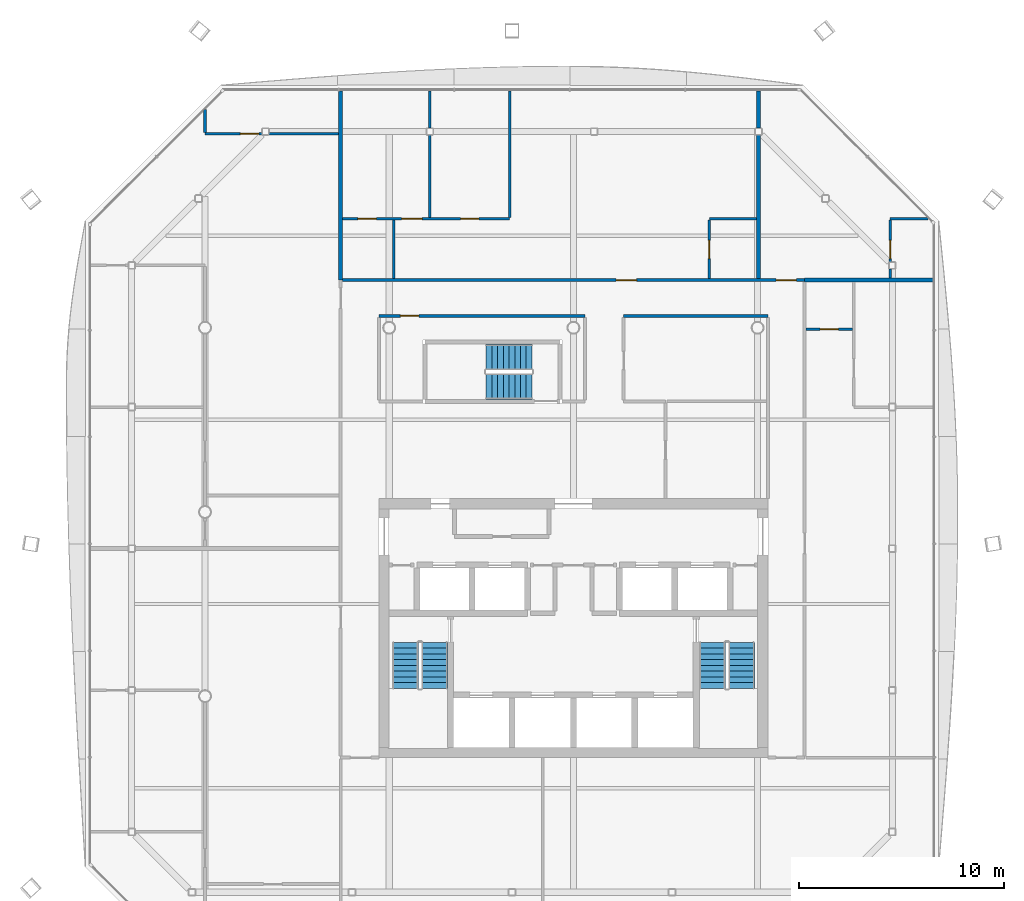
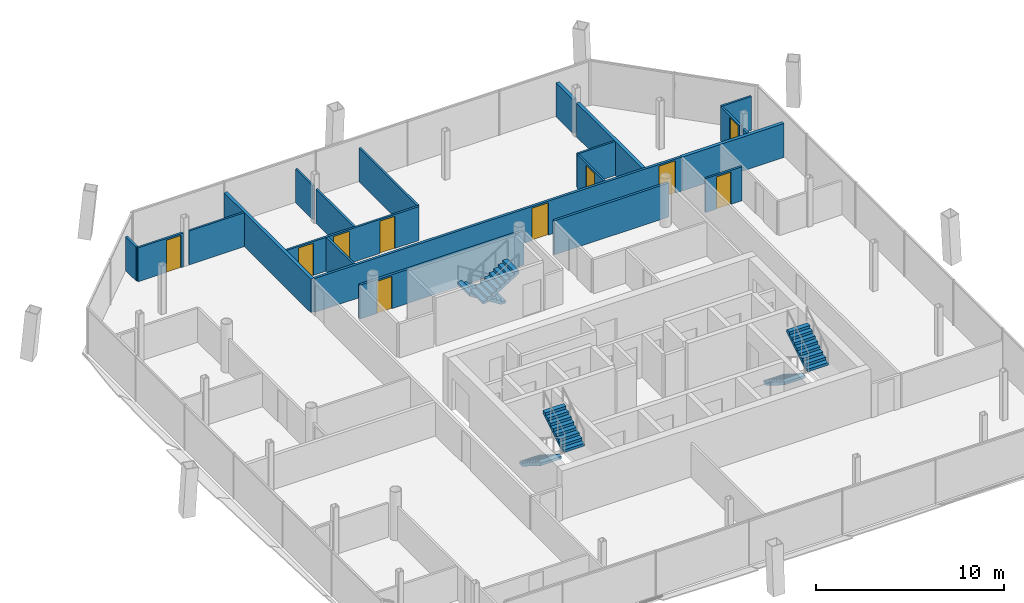
# One storey, part 16 of 20: 21 walls, 10 doors, 6 stair flights, 10 openings, 3 elements without a shape of their own.
"""IFC4 building model written with IfcOpenShell, lengths in metres."""

from ifc_helpers import new_model, si_unit, direction, frame, frame_2d, origin, place, context, subcontext, project, spatial, polyline, rectangle, outline, extrude, material, layer, layer_set, type_object, element, fill, aggregate, save


model = new_model("IFC4")

# Units and contexts
model_context = context("Model", 3, precision=1e-05, world=origin(), true_north=direction((0.0, 1.0)))
body_context = subcontext(model_context, "Body", "Model", "MODEL_VIEW")
ifc_project = project(units=[si_unit("LENGTHUNIT", "METRE"), si_unit("AREAUNIT", "SQUARE_METRE"), si_unit("VOLUMEUNIT", "CUBIC_METRE"), si_unit("PLANEANGLEUNIT", "RADIAN"), si_unit("MASSUNIT", "GRAM", prefix="KILO")], contexts=[model_context])

# Site, building, storey
site_placement = place(None, origin())
site = spatial("IfcSite", under=ifc_project, at=site_placement, CompositionType="ELEMENT")
building_placement = place(site_placement, origin())
building = spatial("IfcBuilding", under=site, at=building_placement, Name="Tskaro Facet Tower", CompositionType="ELEMENT")
storey_placement = place(building_placement, frame((0.0, 0.0, 184.800048828125)))
storey = spatial("IfcBuildingStorey", under=building, at=storey_placement, Name="L46", CompositionType="ELEMENT", Elevation=184.800048828125)

# Wall, opening, door
ifc_material_1 = material(Name="Gypsum board on steel studs", Category="steel")
ifc_layer_1 = layer(ifc_material_1, 0.125, Name="Gypsum board on steel studs")
ifc_layer_set_1 = layer_set([ifc_layer_1], Name="Gypsum board on steel studs")
wall_type_1 = type_object("IfcWallType", Name="PART", PredefinedType="PARTITIONING", material=ifc_layer_set_1)
wall_1_placement = place(storey_placement, frame((11.375, 8.925048828125, 0.0), z_axis=(0.0, 0.0, 1.0), x_axis=(1.0, 0.0, 0.0)))
wall_1 = element("IfcWall", 1, at=wall_1_placement, inside=storey, type_object=wall_type_1, Name="Partition W033", PredefinedType="PARTITIONING", context=body_context, shape_type="SweptSolid", body=[
    extrude(rectangle(XDim=2.262451171875, YDim=0.125, at=frame_2d((1.13134765625, 0.0))), origin(), (0.0, 0.0, 1.0), 2.2099609375),
])
opening_1_placement = place(wall_1_placement, frame((0.675048828125, 0.0, 0.0)))
opening_1 = element("IfcOpeningElement", 2, at=opening_1_placement, cuts=wall_1, Name="Opening T13-D22", PredefinedType="OPENING", context=body_context, shape_type="SweptSolid", body=[
    extrude(rectangle(XDim=0.89990234375, YDim=2.10009765625, at=frame_2d((0.449951171875, 1.050048828125))), frame((0.0, 0.072509765625, 0.0), z_axis=(0.0, -1.0, 0.0), x_axis=(1.0, 0.0, 0.0)), (0.0, 0.0, 1.0), 0.14501953125),
])
ifc_material_2 = material(Name="Timber", Category="wood")
door_type_1 = type_object("IfcDoorType", Name="D-ROOM", OperationType="NOTDEFINED", PredefinedType="DOOR", material=ifc_material_2)
door_1_placement = place(opening_1_placement, origin())
door_1 = element("IfcDoor", 3, at=door_1_placement, inside=storey, type_object=door_type_1, Name="Door T13-D22", OperationType="SINGLE_SWING_LEFT", OverallHeight=2.10009765625, OverallWidth=0.89990234375, PredefinedType="DOOR", context=body_context, shape_type="SweptSolid", body=[
    extrude(rectangle(XDim=0.89990234375, YDim=2.10009765625, at=frame_2d((0.449951171875, 1.050048828125))), frame((0.0, 0.02490234375, 0.0), z_axis=(0.0, -1.0, 0.0), x_axis=(1.0, 0.0, 0.0)), (0.0, 0.0, 1.0), 0.050048828125),
])
fill(opening_1, door_1)

# Wall, openings, doors
wall_2_placement = place(storey_placement, frame((-11.27490234375, 14.324951171875, 0.0), z_axis=(0.0, 0.0, 1.0), x_axis=(1.0, 0.0, 0.0)))
wall_2 = element("IfcWall", 4, at=wall_2_placement, inside=storey, type_object=wall_type_1, Name="Partition W040", PredefinedType="PARTITIONING", context=body_context, shape_type="SweptSolid", body=[
    extrude(rectangle(XDim=8.159912109375, YDim=0.125, at=frame_2d((4.080078125, 0.0))), origin(), (0.0, 0.0, 1.0), 2.2099609375),
])
opening_2_placement = place(wall_2_placement, frame((5.760009765625, 0.0, 0.0)))
opening_2 = element("IfcOpeningElement", 5, at=opening_2_placement, cuts=wall_2, Name="Opening T13-D32", PredefinedType="OPENING", context=body_context, shape_type="SweptSolid", body=[
    extrude(rectangle(XDim=0.89990234375, YDim=2.10009765625, at=frame_2d((0.449951171875, 1.050048828125))), frame((0.0, 0.072509765625, 0.0), z_axis=(0.0, -1.0, 0.0), x_axis=(1.0, 0.0, 0.0)), (0.0, 0.0, 1.0), 0.14501953125),
])
opening_3_placement = place(wall_2_placement, frame((2.8798828125, 0.0, 0.0)))
opening_3 = element("IfcOpeningElement", 6, at=opening_3_placement, cuts=wall_2, Name="Opening T13-D31", PredefinedType="OPENING", context=body_context, shape_type="SweptSolid", body=[
    extrude(rectangle(XDim=1.0, YDim=2.10009765625, at=frame_2d((0.5, 1.050048828125))), frame((0.0, 0.072509765625, 0.0), z_axis=(0.0, -1.0, 0.0), x_axis=(1.0, 0.0, 0.0)), (0.0, 0.0, 1.0), 0.14501953125),
])
opening_4_placement = place(wall_2_placement, frame((0.75, 0.0, 0.0)))
opening_4 = element("IfcOpeningElement", 7, at=opening_4_placement, cuts=wall_2, Name="Opening T13-D30", PredefinedType="OPENING", context=body_context, shape_type="SweptSolid", body=[
    extrude(rectangle(XDim=0.89990234375, YDim=2.10009765625, at=frame_2d((0.449951171875, 1.050048828125))), frame((0.0, 0.072509765625, 0.0), z_axis=(0.0, -1.0, 0.0), x_axis=(1.0, 0.0, 0.0)), (0.0, 0.0, 1.0), 0.14501953125),
])
door_2_placement = place(opening_2_placement, origin())
door_2 = element("IfcDoor", 8, at=door_2_placement, inside=storey, type_object=door_type_1, Name="Door T13-D32", OperationType="SINGLE_SWING_RIGHT", OverallHeight=2.10009765625, OverallWidth=0.89990234375, PredefinedType="DOOR", context=body_context, shape_type="SweptSolid", body=[
    extrude(rectangle(XDim=0.89990234375, YDim=2.10009765625, at=frame_2d((0.449951171875, 1.050048828125))), frame((0.0, 0.02490234375, 0.0), z_axis=(0.0, -1.0, 0.0), x_axis=(1.0, 0.0, 0.0)), (0.0, 0.0, 1.0), 0.050048828125),
])
fill(opening_2, door_2)
door_3_placement = place(opening_4_placement, origin())
door_3 = element("IfcDoor", 9, at=door_3_placement, inside=storey, type_object=door_type_1, Name="Door T13-D30", OperationType="SINGLE_SWING_RIGHT", OverallHeight=2.10009765625, OverallWidth=0.89990234375, PredefinedType="DOOR", context=body_context, shape_type="SweptSolid", body=[
    extrude(rectangle(XDim=0.89990234375, YDim=2.10009765625, at=frame_2d((0.449951171875, 1.050048828125))), frame((0.0, 0.02490234375, 0.0), z_axis=(0.0, -1.0, 0.0), x_axis=(1.0, 0.0, 0.0)), (0.0, 0.0, 1.0), 0.050048828125),
])
fill(opening_4, door_3)
door_type_2 = type_object("IfcDoorType", Name="D-ROOM-WIDE", OperationType="NOTDEFINED", PredefinedType="DOOR", material=ifc_material_2)
door_4_placement = place(opening_3_placement, origin())
door_4 = element("IfcDoor", 10, at=door_4_placement, inside=storey, type_object=door_type_2, Name="Door T13-D31", OperationType="SINGLE_SWING_RIGHT", OverallHeight=2.10009765625, OverallWidth=1.0, PredefinedType="DOOR", context=body_context, shape_type="SweptSolid", body=[
    extrude(rectangle(XDim=1.0, YDim=2.10009765625, at=frame_2d((0.5, 1.050048828125))), frame((0.0, 0.02490234375, 0.0), z_axis=(0.0, -1.0, 0.0), x_axis=(1.0, 0.0, 0.0)), (0.0, 0.0, 1.0), 0.050048828125),
])
fill(opening_3, door_4)

# Walls
wall_3_placement = place(storey_placement, frame((6.64501953125, 14.324951171875, 0.0), z_axis=(0.0, 0.0, 1.0), x_axis=(1.0, 0.0, 0.0)))
element("IfcWall", 11, at=wall_3_placement, inside=storey, type_object=wall_type_1, Name="Partition W041", PredefinedType="PARTITIONING", context=body_context, shape_type="SweptSolid", body=[
    extrude(rectangle(XDim=2.300048828125, YDim=0.125, at=frame_2d((1.14990234375, 0.0))), origin(), (0.0, 0.0, 1.0), 2.2099609375),
])
wall_4_placement = place(storey_placement, frame((15.47998046875, 14.324951171875, 0.0), z_axis=(0.0, 0.0, 1.0), x_axis=(1.0, 0.0, 0.0)))
element("IfcWall", 12, at=wall_4_placement, inside=storey, type_object=wall_type_1, Name="Partition W042", PredefinedType="PARTITIONING", context=body_context, shape_type="SweptSolid", body=[
    extrude(rectangle(XDim=1.85302734375, YDim=0.125, at=frame_2d((0.926513671875, 0.0))), origin(), (0.0, 0.0, 1.0), 2.2099609375),
])

# Wall, opening, door
wall_5_placement = place(storey_placement, frame((-18.0, 18.47998046875, 0.0), z_axis=(0.0, 0.0, 1.0), x_axis=(1.0, 0.0, 0.0)))
wall_5 = element("IfcWall", 13, at=wall_5_placement, inside=storey, type_object=wall_type_1, Name="Partition W043", PredefinedType="PARTITIONING", context=body_context, shape_type="SweptSolid", body=[
    extrude(rectangle(XDim=2.779052734375, YDim=0.125, at=frame_2d((1.3896484375, 0.0))), origin(), (0.0, 0.0, 1.0), 2.2099609375),
])
opening_5_placement = place(wall_5_placement, frame((1.72900390625, 0.0, 0.0)))
opening_5 = element("IfcOpeningElement", 14, at=opening_5_placement, cuts=wall_5, Name="Opening T13-D33", PredefinedType="OPENING", context=body_context, shape_type="SweptSolid", body=[
    extrude(rectangle(XDim=0.89990234375, YDim=2.10009765625, at=frame_2d((0.449951171875, 1.050048828125))), frame((0.0, 0.072509765625, 0.0), z_axis=(0.0, -1.0, 0.0), x_axis=(1.0, 0.0, 0.0)), (0.0, 0.0, 1.0), 0.14501953125),
])
door_5_placement = place(opening_5_placement, origin())
door_5 = element("IfcDoor", 15, at=door_5_placement, inside=storey, type_object=door_type_1, Name="Door T13-D33", OperationType="SINGLE_SWING_LEFT", OverallHeight=2.10009765625, OverallWidth=0.89990234375, PredefinedType="DOOR", context=body_context, shape_type="SweptSolid", body=[
    extrude(rectangle(XDim=0.89990234375, YDim=2.10009765625, at=frame_2d((0.449951171875, 1.050048828125))), frame((0.0, 0.02490234375, 0.0), z_axis=(0.0, -1.0, 0.0), x_axis=(1.0, 0.0, 0.0)), (0.0, 0.0, 1.0), 0.050048828125),
])
fill(opening_5, door_5)

# Walls
wall_6_placement = place(storey_placement, frame((-14.87109375, 18.47998046875, 0.0), z_axis=(0.0, 0.0, 1.0), x_axis=(1.0, 0.0, 0.0)))
element("IfcWall", 16, at=wall_6_placement, inside=storey, type_object=wall_type_1, Name="Partition W044", PredefinedType="PARTITIONING", context=body_context, shape_type="SweptSolid", body=[
    extrude(rectangle(XDim=3.39599609375, YDim=0.125, at=frame_2d((1.697998046875, 0.0))), origin(), (0.0, 0.0, 1.0), 2.2099609375),
])
wall_7_placement = place(storey_placement, frame((-18.0, 18.54248046875, 0.0), z_axis=(0.0, 0.0, 1.0), x_axis=(0.0, 1.0, 0.0)))
element("IfcWall", 17, at=wall_7_placement, inside=storey, type_object=wall_type_1, Name="Partition W049", PredefinedType="PARTITIONING", context=body_context, shape_type="SweptSolid", body=[
    extrude(rectangle(XDim=1.115478515625, YDim=0.125, at=frame_2d((0.5576171875, 0.0))), origin(), (0.0, 0.0, 1.0), 2.2099609375),
])
wall_8_placement = place(storey_placement, frame((-8.77490234375, 11.39990234375, 0.0), z_axis=(0.0, 0.0, 1.0), x_axis=(0.0, 1.0, 0.0)))
element("IfcWall", 18, at=wall_8_placement, inside=storey, type_object=wall_type_1, Name="Partition W054", PredefinedType="PARTITIONING", context=body_context, shape_type="SweptSolid", body=[
    extrude(rectangle(XDim=2.862548828125, YDim=0.125, at=frame_2d((1.43115234375, 0.0))), origin(), (0.0, 0.0, 1.0), 2.2099609375),
])
wall_9_placement = place(storey_placement, frame((-7.014892578125, 14.387451171875, 0.0), z_axis=(0.0, 0.0, 1.0), x_axis=(0.0, 1.0, 0.0)))
element("IfcWall", 19, at=wall_9_placement, inside=storey, type_object=wall_type_1, Name="Partition W057", PredefinedType="PARTITIONING", context=body_context, shape_type="SweptSolid", body=[
    extrude(rectangle(XDim=4.0205078125, YDim=0.125, at=frame_2d((2.01025390625, 0.0))), origin(), (0.0, 0.0, 1.0), 2.2099609375),
])
wall_10_placement = place(storey_placement, frame((-7.014892578125, 18.758056640625, 0.0), z_axis=(0.0, 0.0, 1.0), x_axis=(0.0, 1.0, 0.0)))
element("IfcWall", 20, at=wall_10_placement, inside=storey, type_object=wall_type_1, Name="Partition W058", PredefinedType="PARTITIONING", context=body_context, shape_type="SweptSolid", body=[
    extrude(rectangle(XDim=1.81982421875, YDim=0.125, at=frame_2d((0.909912109375, 0.0))), origin(), (0.0, 0.0, 1.0), 2.2099609375),
])
wall_11_placement = place(storey_placement, frame((-3.114990234375, 14.387451171875, 0.0), z_axis=(0.0, 0.0, 1.0), x_axis=(0.0, 1.0, 0.0)))
element("IfcWall", 21, at=wall_11_placement, inside=storey, type_object=wall_type_1, Name="Partition W062", PredefinedType="PARTITIONING", context=body_context, shape_type="SweptSolid", body=[
    extrude(rectangle(XDim=6.1904296875, YDim=0.125, at=frame_2d((3.09521484375, 0.0))), origin(), (0.0, 0.0, 1.0), 2.2099609375),
])

# Wall, opening, door
wall_12_placement = place(storey_placement, frame((6.64501953125, 14.262451171875, 0.0), z_axis=(0.0, 0.0, 1.0), x_axis=(0.0, -1.0, 0.0)))
wall_12 = element("IfcWall", 22, at=wall_12_placement, inside=storey, type_object=wall_type_1, Name="Partition W078", PredefinedType="PARTITIONING", context=body_context, shape_type="SweptSolid", body=[
    extrude(rectangle(XDim=2.862548828125, YDim=0.125, at=frame_2d((1.43115234375, 0.0))), origin(), (0.0, 0.0, 1.0), 2.2099609375),
])
opening_6_placement = place(wall_12_placement, frame((0.987548828125, 0.0, 0.0)))
opening_6 = element("IfcOpeningElement", 23, at=opening_6_placement, cuts=wall_12, Name="Opening T13-D28", PredefinedType="OPENING", context=body_context, shape_type="SweptSolid", body=[
    extrude(rectangle(XDim=0.89990234375, YDim=2.10009765625, at=frame_2d((0.449951171875, 1.050048828125))), frame((0.0, 0.072509765625, 0.0), z_axis=(0.0, -1.0, 0.0), x_axis=(1.0, 0.0, 0.0)), (0.0, 0.0, 1.0), 0.14501953125),
])
door_6_placement = place(opening_6_placement, origin())
door_6 = element("IfcDoor", 24, at=door_6_placement, inside=storey, type_object=door_type_1, Name="Door T13-D28", OperationType="SINGLE_SWING_RIGHT", OverallHeight=2.10009765625, OverallWidth=0.89990234375, PredefinedType="DOOR", context=body_context, shape_type="SweptSolid", body=[
    extrude(rectangle(XDim=0.89990234375, YDim=2.10009765625, at=frame_2d((0.449951171875, 1.050048828125))), frame((0.0, 0.02490234375, 0.0), z_axis=(0.0, -1.0, 0.0), x_axis=(1.0, 0.0, 0.0)), (0.0, 0.0, 1.0), 0.050048828125),
])
fill(opening_6, door_6)

# Wall
wall_13_placement = place(storey_placement, frame((15.47998046875, 11.425048828125, 0.0), z_axis=(0.0, 0.0, 1.0), x_axis=(0.0, 1.0, 0.0)))
element("IfcWall", 25, at=wall_13_placement, inside=storey, type_object=wall_type_1, Name="Partition W085", PredefinedType="PARTITIONING", context=body_context, shape_type="SweptSolid", body=[
    extrude(rectangle(XDim=0.446044921875, YDim=0.125, at=frame_2d((0.22314453125, 0.0))), origin(), (0.0, 0.0, 1.0), 2.2099609375),
])

# Wall, opening, door
wall_14_placement = place(storey_placement, frame((15.47998046875, 14.262451171875, 0.0), z_axis=(0.0, 0.0, 1.0), x_axis=(0.0, -1.0, 0.0)))
wall_14 = element("IfcWall", 26, at=wall_14_placement, inside=storey, type_object=wall_type_1, Name="Partition W086", PredefinedType="PARTITIONING", context=body_context, shape_type="SweptSolid", body=[
    extrude(rectangle(XDim=2.04150390625, YDim=0.125, at=frame_2d((1.020751953125, 0.0))), origin(), (0.0, 0.0, 1.0), 2.2099609375),
])
opening_7_placement = place(wall_14_placement, frame((0.987548828125, 0.0, 0.0)))
opening_7 = element("IfcOpeningElement", 27, at=opening_7_placement, cuts=wall_14, Name="Opening T13-D29", PredefinedType="OPENING", context=body_context, shape_type="SweptSolid", body=[
    extrude(rectangle(XDim=0.89990234375, YDim=2.10009765625, at=frame_2d((0.449951171875, 1.050048828125))), frame((0.0, 0.072509765625, 0.0), z_axis=(0.0, -1.0, 0.0), x_axis=(1.0, 0.0, 0.0)), (0.0, 0.0, 1.0), 0.14501953125),
])
door_7_placement = place(opening_7_placement, origin())
door_7 = element("IfcDoor", 28, at=door_7_placement, inside=storey, type_object=door_type_1, Name="Door T13-D29", OperationType="SINGLE_SWING_RIGHT", OverallHeight=2.10009765625, OverallWidth=0.89990234375, PredefinedType="DOOR", context=body_context, shape_type="SweptSolid", body=[
    extrude(rectangle(XDim=0.89990234375, YDim=2.10009765625, at=frame_2d((0.449951171875, 1.050048828125))), frame((0.0, 0.02490234375, 0.0), z_axis=(0.0, -1.0, 0.0), x_axis=(1.0, 0.0, 0.0)), (0.0, 0.0, 1.0), 0.050048828125),
])
fill(opening_7, door_7)

ifc_layer_2 = layer(ifc_material_1, 0.14990234375, Name="Gypsum board on steel studs")
ifc_layer_set_2 = layer_set([ifc_layer_2], Name="Gypsum board on steel studs")
wall_type_2 = type_object("IfcWallType", Name="PART-CORR", PredefinedType="PARTITIONING", material=ifc_layer_set_2)
wall_15_placement = place(storey_placement, frame((0.574951171875, 9.574951171875, 0.0), z_axis=(0.0, 0.0, 1.0), x_axis=(-1.0, 0.0, 0.0)))
wall_15 = element("IfcWall", 29, at=wall_15_placement, inside=storey, type_object=wall_type_2, Name="Corridor wall W034", PredefinedType="PARTITIONING", context=body_context, shape_type="SweptSolid", body=[
    extrude(rectangle(XDim=10.074951171875, YDim=0.14990234375, at=frame_2d((5.03759765625, 0.0))), origin(), (0.0, 0.0, 1.0), 2.2099609375),
])
opening_8_placement = place(wall_15_placement, frame((8.125, 0.0, 0.0)))
opening_8 = element("IfcOpeningElement", 30, at=opening_8_placement, cuts=wall_15, Name="Opening T13-D23", PredefinedType="OPENING", context=body_context, shape_type="SweptSolid", body=[
    extrude(rectangle(XDim=0.89990234375, YDim=2.10009765625, at=frame_2d((0.449951171875, 1.050048828125))), frame((0.0, 0.0849609375, 0.0), z_axis=(0.0, -1.0, 0.0), x_axis=(1.0, 0.0, 0.0)), (0.0, 0.0, 1.0), 0.169921875),
])
door_8_placement = place(opening_8_placement, origin())
door_8 = element("IfcDoor", 31, at=door_8_placement, inside=storey, type_object=door_type_1, Name="Door T13-D23", OperationType="SINGLE_SWING_RIGHT", OverallHeight=2.10009765625, OverallWidth=0.89990234375, PredefinedType="DOOR", context=body_context, shape_type="SweptSolid", body=[
    extrude(rectangle(XDim=0.89990234375, YDim=2.10009765625, at=frame_2d((0.449951171875, 1.050048828125))), frame((0.0, 0.02490234375, 0.0), z_axis=(0.0, -1.0, 0.0), x_axis=(1.0, 0.0, 0.0)), (0.0, 0.0, 1.0), 0.050048828125),
])
fill(opening_8, door_8)

# Wall
wall_16_placement = place(storey_placement, frame((2.449951171875, 9.574951171875, 0.0), z_axis=(0.0, 0.0, 1.0), x_axis=(1.0, 0.0, 0.0)))
element("IfcWall", 32, at=wall_16_placement, inside=storey, type_object=wall_type_2, Name="Corridor wall W035", PredefinedType="PARTITIONING", context=body_context, shape_type="SweptSolid", body=[
    extrude(rectangle(XDim=7.050048828125, YDim=0.14990234375, at=frame_2d((3.52490234375, 0.0))), origin(), (0.0, 0.0, 1.0), 2.2099609375),
])

# Wall, openings, doors
wall_17_placement = place(storey_placement, frame((-11.27490234375, 11.324951171875, 0.0), z_axis=(0.0, 0.0, 1.0), x_axis=(1.0, 0.0, 0.0)))
wall_17 = element("IfcWall", 33, at=wall_17_placement, inside=storey, type_object=wall_type_2, Name="Corridor wall W036", PredefinedType="PARTITIONING", context=body_context, shape_type="SweptSolid", body=[
    extrude(rectangle(XDim=22.574951171875, YDim=0.14990234375, at=frame_2d((11.28759765625, 0.0))), origin(), (0.0, 0.0, 1.0), 2.2099609375),
])
opening_9_placement = place(wall_17_placement, frame((13.362548828125, 0.0, 0.0)))
opening_9 = element("IfcOpeningElement", 34, at=opening_9_placement, cuts=wall_17, Name="Opening T13-D25", PredefinedType="OPENING", context=body_context, shape_type="SweptSolid", body=[
    extrude(rectangle(XDim=1.0, YDim=2.10009765625, at=frame_2d((0.5, 1.050048828125))), frame((0.0, 0.0849609375, 0.0), z_axis=(0.0, -1.0, 0.0), x_axis=(1.0, 0.0, 0.0)), (0.0, 0.0, 1.0), 0.169921875),
])
opening_10_placement = place(wall_17_placement, frame((21.175048828125, 0.0, 0.0)))
opening_10 = element("IfcOpeningElement", 35, at=opening_10_placement, cuts=wall_17, Name="Opening T13-D26", PredefinedType="OPENING", context=body_context, shape_type="SweptSolid", body=[
    extrude(rectangle(XDim=1.0, YDim=2.10009765625, at=frame_2d((0.5, 1.050048828125))), frame((0.0, 0.0849609375, 0.0), z_axis=(0.0, -1.0, 0.0), x_axis=(1.0, 0.0, 0.0)), (0.0, 0.0, 1.0), 0.169921875),
])
door_type_3 = type_object("IfcDoorType", Name="D-FLAT-ENTRY", OperationType="NOTDEFINED", PredefinedType="DOOR", material=ifc_material_2)
door_9_placement = place(opening_9_placement, origin())
door_9 = element("IfcDoor", 36, at=door_9_placement, inside=storey, type_object=door_type_3, Name="Door T13-D25", OperationType="SINGLE_SWING_RIGHT", OverallHeight=2.10009765625, OverallWidth=1.0, PredefinedType="DOOR", context=body_context, shape_type="SweptSolid", body=[
    extrude(rectangle(XDim=1.0, YDim=2.10009765625, at=frame_2d((0.5, 1.050048828125))), frame((0.0, 0.02490234375, 0.0), z_axis=(0.0, -1.0, 0.0), x_axis=(1.0, 0.0, 0.0)), (0.0, 0.0, 1.0), 0.050048828125),
])
fill(opening_9, door_9)
door_10_placement = place(opening_10_placement, origin())
door_10 = element("IfcDoor", 37, at=door_10_placement, inside=storey, type_object=door_type_3, Name="Door T13-D26", OperationType="SINGLE_SWING_LEFT", OverallHeight=2.10009765625, OverallWidth=1.0, PredefinedType="DOOR", context=body_context, shape_type="SweptSolid", body=[
    extrude(rectangle(XDim=1.0, YDim=2.10009765625, at=frame_2d((0.5, 1.050048828125))), frame((0.0, 0.02490234375, 0.0), z_axis=(0.0, -1.0, 0.0), x_axis=(1.0, 0.0, 0.0)), (0.0, 0.0, 1.0), 0.050048828125),
])
fill(opening_10, door_10)

# Walls
ifc_layer_3 = layer(ifc_material_1, 0.199951171875, Name="Gypsum board on steel studs")
ifc_layer_set_3 = layer_set([ifc_layer_3], Name="Gypsum board on steel studs")
wall_type_3 = type_object("IfcWallType", Name="PART-DEMISING", PredefinedType="PARTITIONING", material=ifc_layer_set_3)
wall_18_placement = place(storey_placement, frame((11.300048828125, 11.324951171875, 0.0), z_axis=(0.0, 0.0, 1.0), x_axis=(1.0, 0.0, 0.0)))
element("IfcWall", 38, at=wall_18_placement, inside=storey, type_object=wall_type_3, Name="Guest room wall W037", PredefinedType="PARTITIONING", context=body_context, shape_type="SweptSolid", body=[
    extrude(rectangle(XDim=6.27783203125, YDim=0.199951171875, at=frame_2d((3.138916015625, 0.0))), origin(), (0.0, 0.0, 1.0), 2.2099609375),
])
wall_19_placement = place(storey_placement, frame((-11.375, 11.324951171875, 0.0), z_axis=(0.0, 0.0, 1.0), x_axis=(0.0, 1.0, 0.0)))
element("IfcWall", 39, at=wall_19_placement, inside=storey, type_object=wall_type_3, Name="Guest room wall W052", PredefinedType="PARTITIONING", context=body_context, shape_type="SweptSolid", body=[
    extrude(rectangle(XDim=9.2529296875, YDim=0.199951171875, at=frame_2d((4.62646484375, 0.0))), origin(), (0.0, 0.0, 1.0), 2.2099609375),
])
wall_20_placement = place(storey_placement, frame((9.044921875, 11.39990234375, 0.0), z_axis=(0.0, 0.0, 1.0), x_axis=(0.0, 1.0, 0.0)))
element("IfcWall", 40, at=wall_20_placement, inside=storey, type_object=wall_type_3, Name="Guest room wall W080", PredefinedType="PARTITIONING", context=body_context, shape_type="SweptSolid", body=[
    extrude(rectangle(XDim=7.008056640625, YDim=0.199951171875, at=frame_2d((3.50390625, 0.0))), origin(), (0.0, 0.0, 1.0), 2.2099609375),
])
wall_21_placement = place(storey_placement, frame((9.044921875, 18.758056640625, 0.0), z_axis=(0.0, 0.0, 1.0), x_axis=(0.0, 1.0, 0.0)))
element("IfcWall", 41, at=wall_21_placement, inside=storey, type_object=wall_type_3, Name="Guest room wall W081", PredefinedType="PARTITIONING", context=body_context, shape_type="SweptSolid", body=[
    extrude(rectangle(XDim=1.81982421875, YDim=0.199951171875, at=frame_2d((0.909912109375, 0.0))), origin(), (0.0, 0.0, 1.0), 2.2099609375),
])

# Stair, stair flights
ifc_material_3 = material(Name="Concrete C40/50", Category="concrete")
stair_type = type_object("IfcStairType", Name="ST-TWR", PredefinedType="HALF_TURN_STAIR", material=ifc_material_3)
stair_1_placement = place(storey_placement, origin())
stair_1 = element("IfcStair", 42, at=stair_1_placement, inside=storey, type_object=stair_type, Name="L46 Exit stair 1", PredefinedType="HALF_TURN_STAIR")
stair_flight_type = type_object("IfcStairFlightType", Name="SFL-RC", PredefinedType="STRAIGHT", material=ifc_material_3)
stair_flight_1_placement = place(storey_placement, frame((-8.21240234375, -6.375, 0.0), z_axis=(0.0, 0.0, 1.0), x_axis=(0.0, -1.0, 0.0)))
stair_flight_1 = element("IfcStairFlight", 43, at=stair_flight_1_placement, type_object=stair_flight_type, Name="ST-1 flight 1", NumberOfRisers=9, NumberOfTreads=8, PredefinedType="STRAIGHT", RiserHeight=0.175, TreadLength=0.28, context=body_context, shape_type="SweptSolid", body=[
    extrude(outline(polyline([(0.0, 0.0), (0.0, 0.175048828125), (0.280029296875, 0.175048828125), (0.280029296875, 0.35009765625), (0.56005859375, 0.35009765625), (0.56005859375, 0.52490234375), (0.840087890625, 0.52490234375), (0.840087890625, 0.699951171875), (1.1201171875, 0.699951171875), (1.1201171875, 0.875), (1.39990234375, 0.875), (1.39990234375, 1.050048828125), (1.679931640625, 1.050048828125), (1.679931640625, 1.22509765625), (1.9599609375, 1.22509765625), (1.9599609375, 1.39990234375), (2.239990234375, 1.39990234375), (2.239990234375, 1.574951171875), (2.239990234375, 1.22314453125), (0.28271484375, 0.0), (0.0, 0.0)])), frame((0.0, 0.637451171875, 0.0), z_axis=(0.0, -1.0, 0.0), x_axis=(1.0, 0.0, 0.0)), (0.0, 0.0, 1.0), 1.27490234375),
])
stair_flight_2_placement = place(storey_placement, frame((-6.78759765625, -8.614990234375, 1.574951171875), z_axis=(0.0, 0.0, 1.0), x_axis=(0.0, 1.0, 0.0)))
stair_flight_2 = element("IfcStairFlight", 44, at=stair_flight_2_placement, type_object=stair_flight_type, Name="ST-1 flight 2", NumberOfRisers=9, NumberOfTreads=8, PredefinedType="STRAIGHT", RiserHeight=0.175, TreadLength=0.28, context=body_context, shape_type="SweptSolid", body=[
    extrude(outline(polyline([(0.0, 0.0), (0.0, 0.175048828125), (0.280029296875, 0.175048828125), (0.280029296875, 0.35009765625), (0.56005859375, 0.35009765625), (0.56005859375, 0.52490234375), (0.840087890625, 0.52490234375), (0.840087890625, 0.699951171875), (1.1201171875, 0.699951171875), (1.1201171875, 0.875), (1.39990234375, 0.875), (1.39990234375, 1.050048828125), (1.679931640625, 1.050048828125), (1.679931640625, 1.22509765625), (1.9599609375, 1.22509765625), (1.9599609375, 1.39990234375), (2.239990234375, 1.39990234375), (2.239990234375, 1.574951171875), (2.239990234375, 1.22314453125), (0.28271484375, 0.0), (0.0, 0.0)])), frame((0.0, 0.637451171875, 0.0), z_axis=(0.0, -1.0, 0.0), x_axis=(1.0, 0.0, 0.0)), (0.0, 0.0, 1.0), 1.27490234375),
])
aggregate(stair_1, [stair_flight_1, stair_flight_2])

stair_2_placement = place(storey_placement, origin())
stair_2 = element("IfcStair", 45, at=stair_2_placement, inside=storey, type_object=stair_type, Name="L46 Exit stair 2", PredefinedType="HALF_TURN_STAIR")
stair_flight_3_placement = place(storey_placement, frame((6.78759765625, -6.375, 0.0), z_axis=(0.0, 0.0, 1.0), x_axis=(0.0, -1.0, 0.0)))
stair_flight_3 = element("IfcStairFlight", 46, at=stair_flight_3_placement, type_object=stair_flight_type, Name="ST-2 flight 1", NumberOfRisers=9, NumberOfTreads=8, PredefinedType="STRAIGHT", RiserHeight=0.175, TreadLength=0.28, context=body_context, shape_type="SweptSolid", body=[
    extrude(outline(polyline([(0.0, 0.0), (0.0, 0.175048828125), (0.280029296875, 0.175048828125), (0.280029296875, 0.35009765625), (0.56005859375, 0.35009765625), (0.56005859375, 0.52490234375), (0.840087890625, 0.52490234375), (0.840087890625, 0.699951171875), (1.1201171875, 0.699951171875), (1.1201171875, 0.875), (1.39990234375, 0.875), (1.39990234375, 1.050048828125), (1.679931640625, 1.050048828125), (1.679931640625, 1.22509765625), (1.9599609375, 1.22509765625), (1.9599609375, 1.39990234375), (2.239990234375, 1.39990234375), (2.239990234375, 1.574951171875), (2.239990234375, 1.22314453125), (0.28271484375, 0.0), (0.0, 0.0)])), frame((0.0, 0.637451171875, 0.0), z_axis=(0.0, -1.0, 0.0), x_axis=(1.0, 0.0, 0.0)), (0.0, 0.0, 1.0), 1.27490234375),
])
stair_flight_4_placement = place(storey_placement, frame((8.21240234375, -8.614990234375, 1.574951171875), z_axis=(0.0, 0.0, 1.0), x_axis=(0.0, 1.0, 0.0)))
stair_flight_4 = element("IfcStairFlight", 47, at=stair_flight_4_placement, type_object=stair_flight_type, Name="ST-2 flight 2", NumberOfRisers=9, NumberOfTreads=8, PredefinedType="STRAIGHT", RiserHeight=0.175, TreadLength=0.28, context=body_context, shape_type="SweptSolid", body=[
    extrude(outline(polyline([(0.0, 0.0), (0.0, 0.175048828125), (0.280029296875, 0.175048828125), (0.280029296875, 0.35009765625), (0.56005859375, 0.35009765625), (0.56005859375, 0.52490234375), (0.840087890625, 0.52490234375), (0.840087890625, 0.699951171875), (1.1201171875, 0.699951171875), (1.1201171875, 0.875), (1.39990234375, 0.875), (1.39990234375, 1.050048828125), (1.679931640625, 1.050048828125), (1.679931640625, 1.22509765625), (1.9599609375, 1.22509765625), (1.9599609375, 1.39990234375), (2.239990234375, 1.39990234375), (2.239990234375, 1.574951171875), (2.239990234375, 1.22314453125), (0.28271484375, 0.0), (0.0, 0.0)])), frame((0.0, 0.637451171875, 0.0), z_axis=(0.0, -1.0, 0.0), x_axis=(1.0, 0.0, 0.0)), (0.0, 0.0, 1.0), 1.27490234375),
])
aggregate(stair_2, [stair_flight_3, stair_flight_4])

stair_3_placement = place(storey_placement, origin())
stair_3 = element("IfcStair", 48, at=stair_3_placement, inside=storey, type_object=stair_type, Name="L46 Exit stair 3", PredefinedType="HALF_TURN_STAIR")
stair_flight_5_placement = place(storey_placement, frame((-2.02490234375, 7.5625, 0.0), z_axis=(0.0, 0.0, 1.0), x_axis=(-1.0, 0.0, 0.0)))
stair_flight_5 = element("IfcStairFlight", 49, at=stair_flight_5_placement, type_object=stair_flight_type, Name="ST-3 flight 1", NumberOfRisers=9, NumberOfTreads=8, PredefinedType="STRAIGHT", RiserHeight=0.175, TreadLength=0.28, context=body_context, shape_type="SweptSolid", body=[
    extrude(outline(polyline([(0.0, 0.0), (0.0, 0.175048828125), (0.280029296875, 0.175048828125), (0.280029296875, 0.35009765625), (0.56005859375, 0.35009765625), (0.56005859375, 0.52490234375), (0.840087890625, 0.52490234375), (0.840087890625, 0.699951171875), (1.1201171875, 0.699951171875), (1.1201171875, 0.875), (1.39990234375, 0.875), (1.39990234375, 1.050048828125), (1.679931640625, 1.050048828125), (1.679931640625, 1.22509765625), (1.9599609375, 1.22509765625), (1.9599609375, 1.39990234375), (2.239990234375, 1.39990234375), (2.239990234375, 1.574951171875), (2.239990234375, 1.22314453125), (0.28271484375, 0.0), (0.0, 0.0)])), frame((0.0, 0.637451171875, 0.0), z_axis=(0.0, -1.0, 0.0), x_axis=(1.0, 0.0, 0.0)), (0.0, 0.0, 1.0), 1.27490234375),
])
stair_flight_6_placement = place(storey_placement, frame((-4.264892578125, 6.137451171875, 1.574951171875), z_axis=(0.0, 0.0, 1.0), x_axis=(1.0, 0.0, 0.0)))
stair_flight_6 = element("IfcStairFlight", 50, at=stair_flight_6_placement, type_object=stair_flight_type, Name="ST-3 flight 2", NumberOfRisers=9, NumberOfTreads=8, PredefinedType="STRAIGHT", RiserHeight=0.175, TreadLength=0.28, context=body_context, shape_type="SweptSolid", body=[
    extrude(outline(polyline([(0.0, 0.0), (0.0, 0.175048828125), (0.280029296875, 0.175048828125), (0.280029296875, 0.35009765625), (0.56005859375, 0.35009765625), (0.56005859375, 0.52490234375), (0.840087890625, 0.52490234375), (0.840087890625, 0.699951171875), (1.1201171875, 0.699951171875), (1.1201171875, 0.875), (1.39990234375, 0.875), (1.39990234375, 1.050048828125), (1.679931640625, 1.050048828125), (1.679931640625, 1.22509765625), (1.9599609375, 1.22509765625), (1.9599609375, 1.39990234375), (2.239990234375, 1.39990234375), (2.239990234375, 1.574951171875), (2.239990234375, 1.22314453125), (0.28271484375, 0.0), (0.0, 0.0)])), frame((0.0, 0.637451171875, 0.0), z_axis=(0.0, -1.0, 0.0), x_axis=(1.0, 0.0, 0.0)), (0.0, 0.0, 1.0), 1.27490234375),
])
aggregate(stair_3, [stair_flight_5, stair_flight_6])

save(model, "model.ifc")
